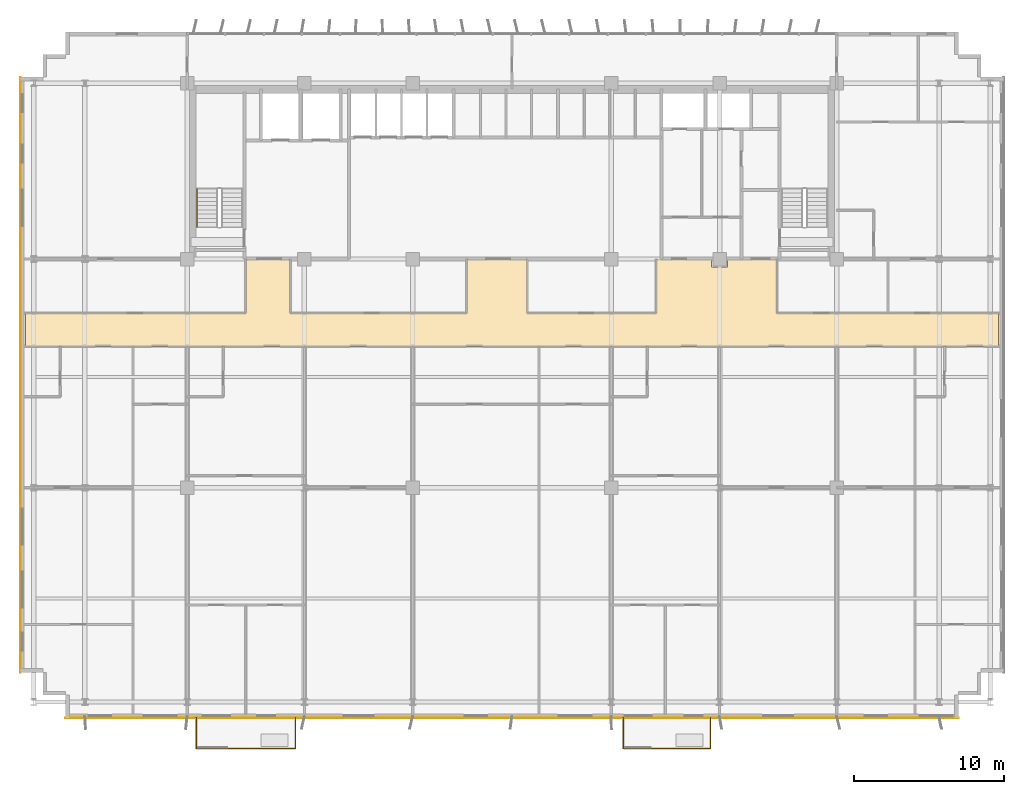
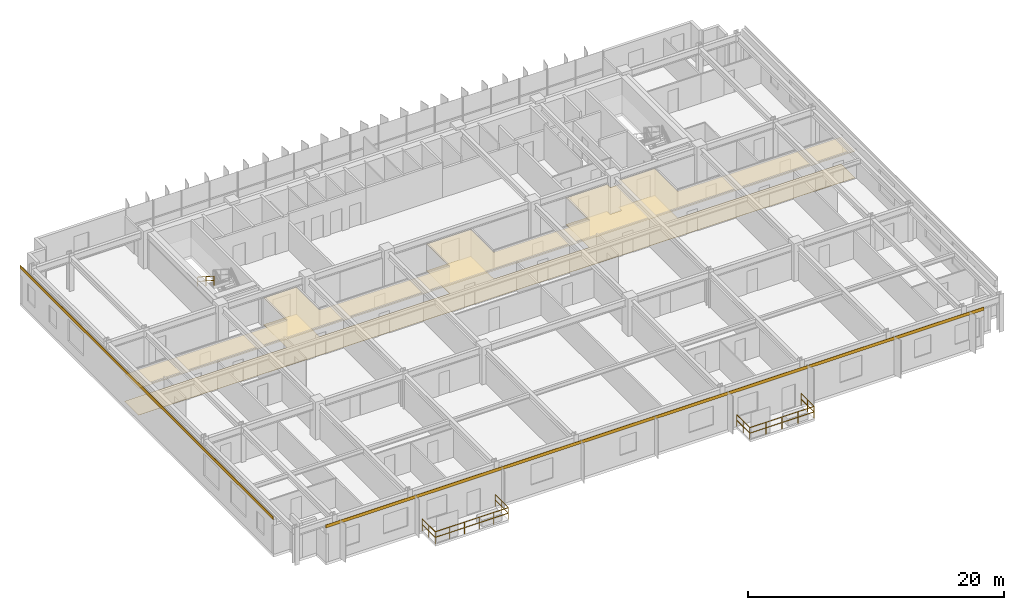
# One storey, part 20 of 22: 7 railings, 4 coverings.
"""IFC4 building model written with IfcOpenShell, lengths in metres."""

from ifc_helpers import new_model, si_unit, direction, frame, origin, origin_2d, place, context, subcontext, project, spatial, polyline, rectangle, outline, extrude, source, transform, mapped, material, layer, layer_set, type_object, element, save


model = new_model("IFC4")

# Units and contexts
model_context = context("Model", 3, precision=1e-05, world=origin(), true_north=direction((0.0, 1.0)))
body_context = subcontext(model_context, "Body", "Model", "MODEL_VIEW")
ifc_project = project(units=[si_unit("LENGTHUNIT", "METRE"), si_unit("AREAUNIT", "SQUARE_METRE"), si_unit("VOLUMEUNIT", "CUBIC_METRE"), si_unit("PLANEANGLEUNIT", "RADIAN"), si_unit("MASSUNIT", "GRAM", prefix="KILO")], contexts=[model_context])

# Site, building, storey
site_placement = place(None, origin())
site = spatial("IfcSite", under=ifc_project, at=site_placement, CompositionType="ELEMENT")
building_placement = place(site_placement, origin())
building = spatial("IfcBuilding", under=site, at=building_placement, Name="Trelvane Seafront Commons", CompositionType="ELEMENT")
storey_placement = place(building_placement, frame((0.0, 0.0, 45.10009765625)))
storey = spatial("IfcBuildingStorey", under=building, at=storey_placement, Name="L11", CompositionType="ELEMENT", Elevation=45.10009765625)

# Coverings
ifc_material_1 = material(Name="Acoustic Mineral Fibre Ceiling")
ifc_layer_1 = layer(ifc_material_1, 0.02490234375, Name="ARCH-COV-CEIL25")
ifc_layer_set_1 = layer_set([ifc_layer_1], Name="Acoustic Mineral Fibre Ceiling")
covering_type_1 = type_object("IfcCoveringType", Name="ARCH-COV-CEIL25", PredefinedType="CEILING", material=ifc_layer_set_1)
covering_1_placement = place(storey_placement, frame((0.0, 0.0, 2.5498046875)))
element("IfcCovering", 1, at=covering_1_placement, inside=storey, type_object=covering_type_1, Name="COV-CEIL-L11-07", PredefinedType="CEILING", context=body_context, shape_type="SweptSolid", body=[
    extrude(outline(polyline([(51.530029296875, 33.39990234375), (51.530029296875, 32.8701171875), (50.469970703125, 32.8701171875), (50.469970703125, 33.39990234375), (46.800048828125, 33.39990234375), (46.800048828125, 29.800048828125), (38.199951171875, 29.800048828125), (38.199951171875, 33.39990234375), (34.199951171875, 33.39990234375), (34.199951171875, 29.800048828125), (22.449951171875, 29.800048828125), (22.449951171875, 33.39990234375), (19.5, 33.39990234375), (19.5, 29.800048828125), (4.85009765625, 29.800048828125), (4.85009765625, 27.60009765625), (69.550048828125, 27.60009765625), (69.550048828125, 29.800048828125), (54.800048828125, 29.800048828125), (54.800048828125, 33.39990234375), (51.530029296875, 33.39990234375)])), origin(), (0.0, 0.0, 1.0), 0.025146484375),
])
ifc_material_2 = material(Name="Polished Terrazzo Finish")
ifc_layer_2 = layer(ifc_material_2, 0.02001953125, Name="ARCH-COV-FLOR20")
ifc_layer_set_2 = layer_set([ifc_layer_2], Name="Polished Terrazzo Finish")
covering_type_2 = type_object("IfcCoveringType", Name="ARCH-COV-FLOR20", PredefinedType="FLOORING", material=ifc_layer_set_2)
covering_2_placement = place(storey_placement, origin())
element("IfcCovering", 2, at=covering_2_placement, inside=storey, type_object=covering_type_2, Name="COV-FLOR-L11-07", PredefinedType="FLOORING", context=body_context, shape_type="SweptSolid", body=[
    extrude(outline(polyline([(51.530029296875, 33.39990234375), (51.530029296875, 32.8701171875), (50.469970703125, 32.8701171875), (50.469970703125, 33.39990234375), (46.800048828125, 33.39990234375), (46.800048828125, 29.800048828125), (38.199951171875, 29.800048828125), (38.199951171875, 33.39990234375), (34.199951171875, 33.39990234375), (34.199951171875, 29.800048828125), (22.449951171875, 29.800048828125), (22.449951171875, 33.39990234375), (19.5, 33.39990234375), (19.5, 29.800048828125), (4.85009765625, 29.800048828125), (4.85009765625, 27.60009765625), (69.550048828125, 27.60009765625), (69.550048828125, 29.800048828125), (54.800048828125, 29.800048828125), (54.800048828125, 33.39990234375), (51.530029296875, 33.39990234375)])), origin(), (0.0, 0.0, 1.0), 0.02001953125),
])

# Railings
ifc_material_3 = material(Name="Stainless steel balustrade", Category="steel")
railing_type_1 = type_object("IfcRailingType", Name="ARCH-RAIL-BAL1150", PredefinedType="BALUSTRADE", material=ifc_material_3)
railing_1_placement = place(storey_placement, frame((16.199951171875, 2.89990234375, 0.0)))
element("IfcRailing", 3, at=railing_1_placement, inside=storey, type_object=railing_type_1, Name="RL-L11-BAL0-01", PredefinedType="BALUSTRADE", context=body_context, shape_type="SweptSolid", body=[
    extrude(rectangle(XDim=0.048095703125, YDim=0.048095703125, at=origin_2d()), frame((0.0, 0.0, 1.1259765625), z_axis=(0.0, -1.0, 0.0), x_axis=(1.0, 0.0, 0.0)), (0.0, 0.0, 1.0), 2.039794921875),
    extrude(rectangle(XDim=0.048095703125, YDim=0.048095703125, at=origin_2d()), frame((0.0, 0.0, 0.597900390625), z_axis=(0.0, -1.0, 0.0), x_axis=(1.0, 0.0, 0.0)), (0.0, 0.0, 1.0), 2.039794921875),
    extrude(rectangle(XDim=0.0419921875, YDim=0.0419921875, at=origin_2d()), origin(), (0.0, 0.0, 1.0), 1.1259765625),
    extrude(rectangle(XDim=0.0419921875, YDim=0.0419921875, at=origin_2d()), frame((0.0, -1.02001953125, 0.0)), (0.0, 0.0, 1.0), 1.1259765625),
    extrude(rectangle(XDim=0.0419921875, YDim=0.0419921875, at=origin_2d()), frame((0.0, -2.039794921875, 0.0)), (0.0, 0.0, 1.0), 1.1259765625),
])
railing_2_placement = place(storey_placement, frame((16.199951171875, 0.860107421875, 0.0)))
element("IfcRailing", 4, at=railing_2_placement, inside=storey, type_object=railing_type_1, Name="RL-L11-BAL0-02", PredefinedType="BALUSTRADE", context=body_context, shape_type="SweptSolid", body=[
    extrude(rectangle(XDim=0.048095703125, YDim=0.048095703125, at=origin_2d()), frame((0.0, 0.0, 1.1259765625), z_axis=(1.0, 0.0, 0.0), x_axis=(0.0, 1.0, 0.0)), (0.0, 0.0, 1.0), 6.60009765625),
    extrude(rectangle(XDim=0.048095703125, YDim=0.048095703125, at=origin_2d()), frame((0.0, 0.0, 0.597900390625), z_axis=(1.0, 0.0, 0.0), x_axis=(0.0, 1.0, 0.0)), (0.0, 0.0, 1.0), 6.60009765625),
    extrude(rectangle(XDim=0.0419921875, YDim=0.0419921875, at=origin_2d()), origin(), (0.0, 0.0, 1.0), 1.1259765625),
    extrude(rectangle(XDim=0.0419921875, YDim=0.0419921875, at=origin_2d()), frame((1.320068359375, 0.0, 0.0)), (0.0, 0.0, 1.0), 1.1259765625),
    extrude(rectangle(XDim=0.0419921875, YDim=0.0419921875, at=origin_2d()), frame((2.64013671875, 0.0, 0.0)), (0.0, 0.0, 1.0), 1.1259765625),
    extrude(rectangle(XDim=0.0419921875, YDim=0.0419921875, at=origin_2d()), frame((3.9599609375, 0.0, 0.0)), (0.0, 0.0, 1.0), 1.1259765625),
    extrude(rectangle(XDim=0.0419921875, YDim=0.0419921875, at=origin_2d()), frame((5.280029296875, 0.0, 0.0)), (0.0, 0.0, 1.0), 1.1259765625),
    extrude(rectangle(XDim=0.0419921875, YDim=0.0419921875, at=origin_2d()), frame((6.60009765625, 0.0, 0.0)), (0.0, 0.0, 1.0), 1.1259765625),
])
railing_3_placement = place(storey_placement, frame((22.800048828125, 0.860107421875, 0.0)))
element("IfcRailing", 5, at=railing_3_placement, inside=storey, type_object=railing_type_1, Name="RL-L11-BAL0-03", PredefinedType="BALUSTRADE", context=body_context, shape_type="SweptSolid", body=[
    extrude(rectangle(XDim=0.048095703125, YDim=0.048095703125, at=origin_2d()), frame((0.0, 0.0, 1.1259765625), z_axis=(0.0, 1.0, 0.0), x_axis=(-1.0, 0.0, 0.0)), (0.0, 0.0, 1.0), 2.039794921875),
    extrude(rectangle(XDim=0.048095703125, YDim=0.048095703125, at=origin_2d()), frame((0.0, 0.0, 0.597900390625), z_axis=(0.0, 1.0, 0.0), x_axis=(-1.0, 0.0, 0.0)), (0.0, 0.0, 1.0), 2.039794921875),
    extrude(rectangle(XDim=0.0419921875, YDim=0.0419921875, at=origin_2d()), origin(), (0.0, 0.0, 1.0), 1.1259765625),
    extrude(rectangle(XDim=0.0419921875, YDim=0.0419921875, at=origin_2d()), frame((0.0, 1.02001953125, 0.0)), (0.0, 0.0, 1.0), 1.1259765625),
    extrude(rectangle(XDim=0.0419921875, YDim=0.0419921875, at=origin_2d()), frame((0.0, 2.039794921875, 0.0)), (0.0, 0.0, 1.0), 1.1259765625),
])
railing_4_placement = place(storey_placement, frame((44.60009765625, 2.89990234375, 0.0)))
element("IfcRailing", 6, at=railing_4_placement, inside=storey, type_object=railing_type_1, Name="RL-L11-BAL1-01", PredefinedType="BALUSTRADE", context=body_context, shape_type="SweptSolid", body=[
    extrude(rectangle(XDim=0.048095703125, YDim=0.048095703125, at=origin_2d()), frame((0.0, 0.0, 1.1259765625), z_axis=(0.0, -1.0, 0.0), x_axis=(1.0, 0.0, 0.0)), (0.0, 0.0, 1.0), 2.039794921875),
    extrude(rectangle(XDim=0.048095703125, YDim=0.048095703125, at=origin_2d()), frame((0.0, 0.0, 0.597900390625), z_axis=(0.0, -1.0, 0.0), x_axis=(1.0, 0.0, 0.0)), (0.0, 0.0, 1.0), 2.039794921875),
    extrude(rectangle(XDim=0.0419921875, YDim=0.0419921875, at=origin_2d()), origin(), (0.0, 0.0, 1.0), 1.1259765625),
    extrude(rectangle(XDim=0.0419921875, YDim=0.0419921875, at=origin_2d()), frame((0.0, -1.02001953125, 0.0)), (0.0, 0.0, 1.0), 1.1259765625),
    extrude(rectangle(XDim=0.0419921875, YDim=0.0419921875, at=origin_2d()), frame((0.0, -2.039794921875, 0.0)), (0.0, 0.0, 1.0), 1.1259765625),
])
railing_5_placement = place(storey_placement, frame((44.60009765625, 0.860107421875, 0.0)))
element("IfcRailing", 7, at=railing_5_placement, inside=storey, type_object=railing_type_1, Name="RL-L11-BAL1-02", PredefinedType="BALUSTRADE", context=body_context, shape_type="SweptSolid", body=[
    extrude(rectangle(XDim=0.048095703125, YDim=0.048095703125, at=origin_2d()), frame((0.0, 0.0, 1.1259765625), z_axis=(1.0, 0.0, 0.0), x_axis=(0.0, 1.0, 0.0)), (0.0, 0.0, 1.0), 5.7998046875),
    extrude(rectangle(XDim=0.048095703125, YDim=0.048095703125, at=origin_2d()), frame((0.0, 0.0, 0.597900390625), z_axis=(1.0, 0.0, 0.0), x_axis=(0.0, 1.0, 0.0)), (0.0, 0.0, 1.0), 5.7998046875),
    extrude(rectangle(XDim=0.0419921875, YDim=0.0419921875, at=origin_2d()), origin(), (0.0, 0.0, 1.0), 1.1259765625),
    extrude(rectangle(XDim=0.0419921875, YDim=0.0419921875, at=origin_2d()), frame((1.449951171875, 0.0, 0.0)), (0.0, 0.0, 1.0), 1.1259765625),
    extrude(rectangle(XDim=0.0419921875, YDim=0.0419921875, at=origin_2d()), frame((2.89990234375, 0.0, 0.0)), (0.0, 0.0, 1.0), 1.1259765625),
    extrude(rectangle(XDim=0.0419921875, YDim=0.0419921875, at=origin_2d()), frame((4.349853515625, 0.0, 0.0)), (0.0, 0.0, 1.0), 1.1259765625),
    extrude(rectangle(XDim=0.0419921875, YDim=0.0419921875, at=origin_2d()), frame((5.7998046875, 0.0, 0.0)), (0.0, 0.0, 1.0), 1.1259765625),
])
railing_6_placement = place(storey_placement, frame((50.39990234375, 0.860107421875, 0.0)))
element("IfcRailing", 8, at=railing_6_placement, inside=storey, type_object=railing_type_1, Name="RL-L11-BAL1-03", PredefinedType="BALUSTRADE", context=body_context, shape_type="SweptSolid", body=[
    extrude(rectangle(XDim=0.048095703125, YDim=0.048095703125, at=origin_2d()), frame((0.0, 0.0, 1.1259765625), z_axis=(0.0, 1.0, 0.0), x_axis=(-1.0, 0.0, 0.0)), (0.0, 0.0, 1.0), 2.039794921875),
    extrude(rectangle(XDim=0.048095703125, YDim=0.048095703125, at=origin_2d()), frame((0.0, 0.0, 0.597900390625), z_axis=(0.0, 1.0, 0.0), x_axis=(-1.0, 0.0, 0.0)), (0.0, 0.0, 1.0), 2.039794921875),
    extrude(rectangle(XDim=0.0419921875, YDim=0.0419921875, at=origin_2d()), origin(), (0.0, 0.0, 1.0), 1.1259765625),
    extrude(rectangle(XDim=0.0419921875, YDim=0.0419921875, at=origin_2d()), frame((0.0, 1.02001953125, 0.0)), (0.0, 0.0, 1.0), 1.1259765625),
    extrude(rectangle(XDim=0.0419921875, YDim=0.0419921875, at=origin_2d()), frame((0.0, 2.039794921875, 0.0)), (0.0, 0.0, 1.0), 1.1259765625),
])
railing_type_2 = type_object("IfcRailingType", Name="ARCH-SRL-HAND", PredefinedType="HANDRAIL", material=ifc_material_3)
railing_7_placement = place(storey_placement, frame((16.25, 38.070068359375, 1.97998046875)))
element("IfcRailing", 9, at=railing_7_placement, inside=storey, type_object=railing_type_2, Name="L11 ST-1 stair handrail 2", PredefinedType="HANDRAIL", context=body_context, shape_type="SweptSolid", body=[
    extrude(rectangle(XDim=0.048095703125, YDim=0.048095703125, at=origin_2d()), frame((0.0, 0.0, 0.8759765625), z_axis=(0.0, -0.841199657755, 0.540724639528), x_axis=(1.0, 0.0, 0.0)), (0.0, 0.0, 1.0), 2.995849609375),
    extrude(rectangle(XDim=0.048095703125, YDim=0.048095703125, at=origin_2d()), frame((0.0, 0.0, 0.468017578125), z_axis=(0.0, -0.841199657755, 0.540724639528), x_axis=(1.0, 0.0, 0.0)), (0.0, 0.0, 1.0), 2.995849609375),
    extrude(rectangle(XDim=0.0419921875, YDim=0.0419921875, at=origin_2d()), origin(), (0.0, 0.0, 1.0), 0.8759765625),
    extrude(rectangle(XDim=0.0419921875, YDim=0.0419921875, at=origin_2d()), frame((0.0, -1.260009765625, 0.81005859375)), (0.0, 0.0, 1.0), 0.8759765625),
    extrude(rectangle(XDim=0.0419921875, YDim=0.0419921875, at=origin_2d()), frame((0.0, -2.52001953125, 1.619873046875)), (0.0, 0.0, 1.0), 0.8759765625),
])

# Coverings
ifc_material_4 = material(Name="Anodised pale-silver aluminium", Category="aluminium")
ifc_layer_3 = layer(ifc_material_4, 0.034912109375, Name="ARCH-COV-CLAD35")
ifc_layer_set_3 = layer_set([ifc_layer_3], Name="Anodised pale-silver aluminium")
covering_type_3 = type_object("IfcCoveringType", Name="ARCH-COV-CLAD35", PredefinedType="CLADDING", material=ifc_layer_set_3)
shared_shape_1 = source(origin(), body_context, "Body", "SweptSolid", [
    extrude(rectangle(XDim=39.60009765625, YDim=0.034912109375, at=origin_2d()), origin(), (0.0, 0.0, 1.0), 0.300048828125),
])
covering_3_placement = place(storey_placement, frame((4.5, 25.699951171875, 3.2998046875), z_axis=(0.0, 0.0, 1.0), x_axis=(0.0, 1.0, 0.0)))
element("IfcCovering", 10, at=covering_3_placement, inside=storey, type_object=covering_type_3, Name="CLD-L11-00057", PredefinedType="CLADDING", context=body_context, shape_type="MappedRepresentation", body=[
    mapped(shared_shape_1, transform((0.0, 0.0, 0.0), x_axis=(1.0, 0.0, 0.0), y_axis=(0.0, 1.0, 0.0), z_axis=(0.0, 0.0, 1.0), scale=1.0)),
])
shared_shape_2 = source(origin(), body_context, "Body", "SweptSolid", [
    extrude(rectangle(XDim=59.39990234375, YDim=0.034912109375, at=origin_2d()), origin(), (0.0, 0.0, 1.0), 0.300048828125),
])
covering_4_placement = place(storey_placement, frame((37.199951171875, 2.89990234375, 3.2998046875), z_axis=(0.0, 0.0, 1.0), x_axis=(-1.0, 0.0, 0.0)))
element("IfcCovering", 11, at=covering_4_placement, inside=storey, type_object=covering_type_3, Name="CLD-L11-00059", PredefinedType="CLADDING", context=body_context, shape_type="MappedRepresentation", body=[
    mapped(shared_shape_2, transform((0.0, 0.0, 0.0), x_axis=(1.0, 0.0, 0.0), y_axis=(0.0, 1.0, 0.0), z_axis=(0.0, 0.0, 1.0), scale=1.0)),
])

save(model, "model.ifc")
